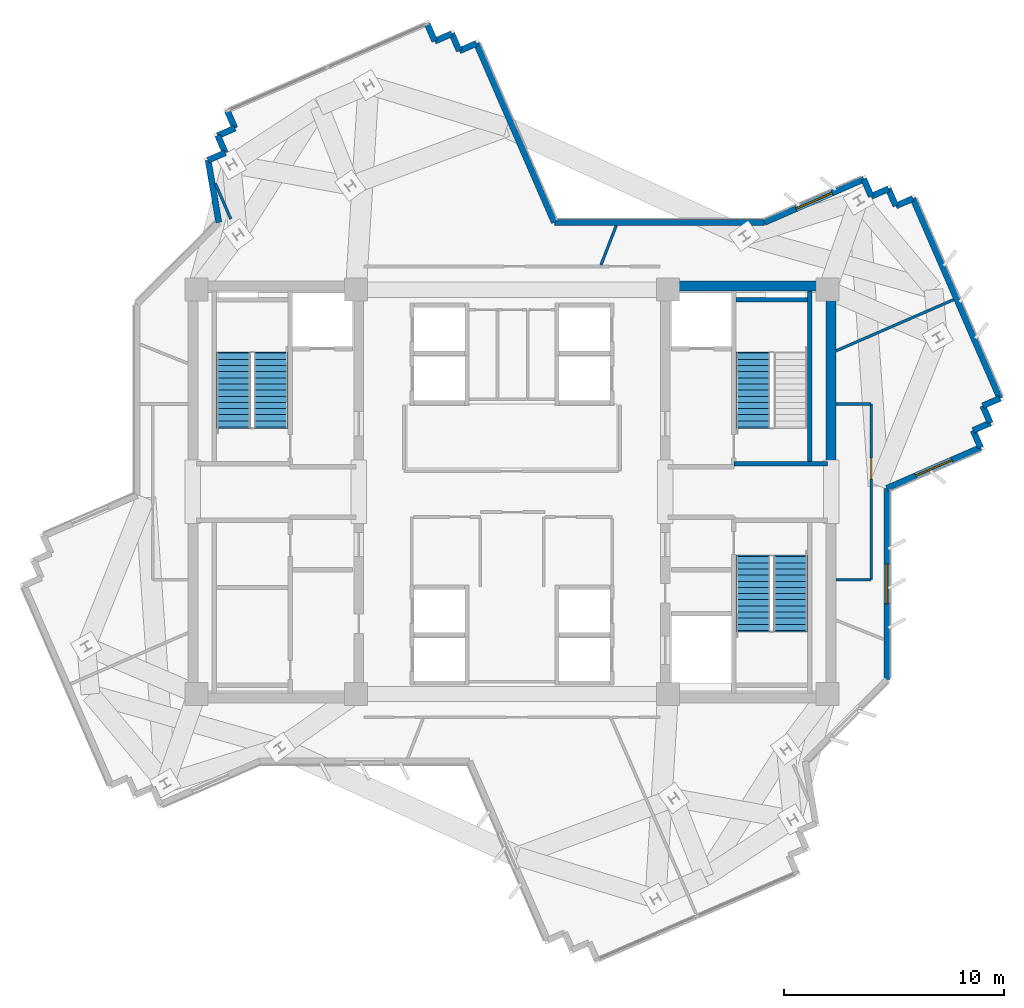
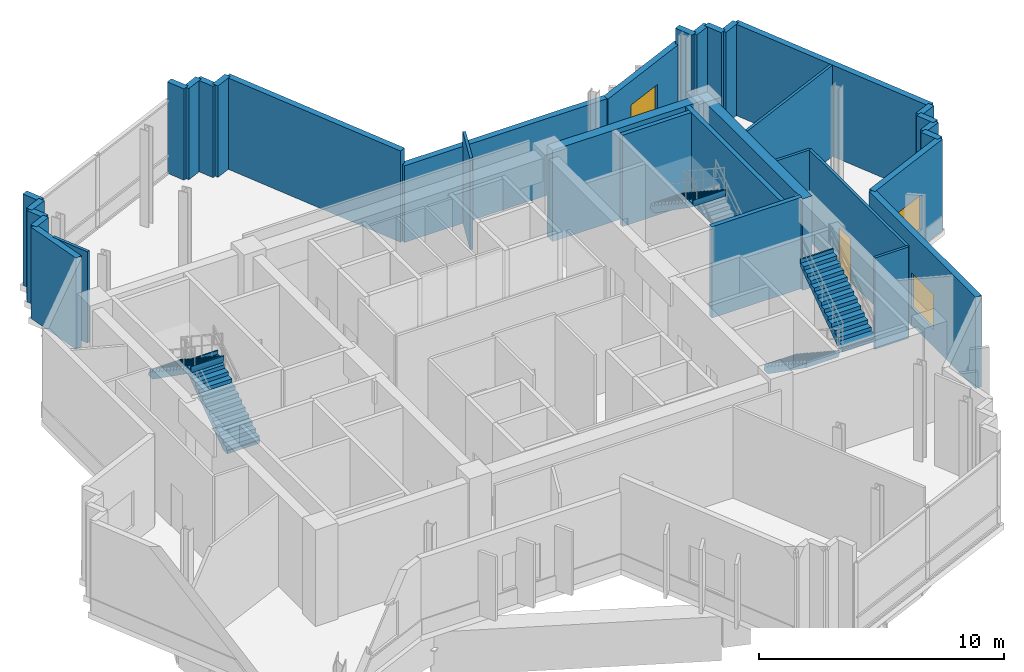
# One storey, part 8 of 11: 34 walls, 5 stair flights, 3 windows, 1 door, 4 openings, 3 elements without a shape of their own.
"""IFC4 building model written with IfcOpenShell, lengths in metres."""

import ifcopenshell
import ifcopenshell.guid

model = None  # the IFC model being written
_history = None  # IfcOwnerHistory: only IFC2X3 demands one
_inside = {}  # id of a spatial element -> (the spatial element, [elements in it])
_under = {}  # id of a project, library or spatial element -> (it, [spatial elements below it])
_declared = {}  # id of a project -> (the project, [libraries it declares])
_typed = {}  # id of a type object -> (the type object, [elements of that type])
_made_of = {}  # id of a material, layer set ... -> (it, [elements and type objects made of it])


def new_model(schema):
    """Start an empty IFC model of exactly this schema.

    Asked for "IFC4X3", IfcOpenShell would pick the latest addendum, in which some entities
    have other attributes; the version numbers below select the first issue.
    IFC2X3 requires an IfcOwnerHistory on every rooted entity: one is made here for all.
    """
    global model, _history
    if schema == "IFC4X3":
        model = ifcopenshell.file(schema_version=(4, 3, 0, 0))
    else:
        model = ifcopenshell.file(schema=schema)
    _inside.clear()
    _under.clear()
    _declared.clear()
    _typed.clear()
    _made_of.clear()
    _history = None
    if model.schema == "IFC2X3":
        org = make("IfcOrganization", Name="unknown")
        user = make(
            "IfcPersonAndOrganization",
            ThePerson=make("IfcPerson", FamilyName="unknown"),
            TheOrganization=org,
        )
        app = make(
            "IfcApplication",
            ApplicationDeveloper=org,
            Version="unknown",
            ApplicationFullName="unknown",
            ApplicationIdentifier="unknown",
        )
        _history = make(
            "IfcOwnerHistory",
            OwningUser=user,
            OwningApplication=app,
            ChangeAction="ADDED",
            CreationDate=0,
        )
    return model


def make(cls, **values):
    """One entity of the class cls with the attributes given. An attribute that is None is left unset."""
    return model.create_entity(
        cls, **{name: value for name, value in values.items() if value is not None}
    )


def rooted(cls, **values):
    """An entity with a GlobalId (a new one), such as an element, a storey or a relation."""
    return make(cls, GlobalId=ifcopenshell.guid.new(), OwnerHistory=_history, **values)


def si_unit(unit_type, name, prefix=None):
    """IfcSIUnit, for example si_unit("LENGTHUNIT", "METRE", prefix="MILLI")."""
    return make("IfcSIUnit", UnitType=unit_type, Prefix=prefix, Name=name)


def assignment(units):
    """IfcUnitAssignment: the units of a project."""
    return None if units is None else make("IfcUnitAssignment", Units=units)


def point(xyz):
    """IfcCartesianPoint."""
    return None if xyz is None else make("IfcCartesianPoint", Coordinates=xyz)


def direction(xyz):
    """IfcDirection."""
    return None if xyz is None else make("IfcDirection", DirectionRatios=xyz)


def frame(location, z_axis=None, x_axis=None):
    """IfcAxis2Placement3D, a coordinate frame: its origin and axes. An axis left out is left unset."""
    return make(
        "IfcAxis2Placement3D",
        Location=point(location),
        Axis=direction(z_axis),
        RefDirection=direction(x_axis),
    )


def frame_2d(location, x_axis=None):
    """IfcAxis2Placement2D, a coordinate frame in the plane: its origin and x axis."""
    return make(
        "IfcAxis2Placement2D", Location=point(location), RefDirection=direction(x_axis)
    )


def origin():
    """The frame at (0, 0, 0) with its axes left unset."""
    return frame((0.0, 0.0, 0.0))


def place(relative_to, where):
    """IfcLocalPlacement: puts the frame where relative to a parent placement (None: the world)."""
    return make(
        "IfcLocalPlacement", PlacementRelTo=relative_to, RelativePlacement=where
    )


def context(
    kind, dimensions, precision=None, world=None, true_north=None, identifier=None
):
    """IfcGeometricRepresentationContext, for example the 3D "Model" context."""
    return make(
        "IfcGeometricRepresentationContext",
        ContextIdentifier=identifier,
        ContextType=kind,
        CoordinateSpaceDimension=dimensions,
        Precision=precision,
        WorldCoordinateSystem=world,
        TrueNorth=true_north,
    )


def subcontext(parent, identifier, kind, view, scale=None):
    """IfcGeometricRepresentationSubContext, for example "Body" below "Model"."""
    return make(
        "IfcGeometricRepresentationSubContext",
        ContextIdentifier=identifier,
        ContextType=kind,
        ParentContext=parent,
        TargetScale=scale,
        TargetView=view,
    )


def project(units=None, contexts=None):
    """IfcProject with its units and contexts."""
    return rooted(
        "IfcProject",
        Name="project",
        RepresentationContexts=contexts,
        UnitsInContext=assignment(units),
    )


def spatial(cls, under=None, at=None, **own):
    """A site, building, storey or space (cls), placed at a placement, below another one or the project."""
    s = rooted(cls, ObjectPlacement=at, **own)
    if under is not None:
        _under.setdefault(under.id(), (under, []))[1].append(s)
    return s


def polyline(points):
    """IfcPolyline through the points."""
    return make("IfcPolyline", Points=[point(p) for p in points])


def profile(cls, at=None, kind="AREA", **sizes):
    """A parametric profile (cls). Its sizes go by their IFC names, for example OverallWidth=200.0."""
    return make(cls, ProfileType=kind, Position=at, **sizes)


def rectangle(**sizes):
    """IfcRectangleProfileDef."""
    return profile("IfcRectangleProfileDef", **sizes)


def outline(outer, holes=None, kind="AREA"):
    """IfcArbitraryClosedProfileDef: a profile drawn as a closed curve; with holes, ...WithVoids."""
    if holes is None:
        return make("IfcArbitraryClosedProfileDef", ProfileType=kind, OuterCurve=outer)
    return make(
        "IfcArbitraryProfileDefWithVoids",
        ProfileType=kind,
        OuterCurve=outer,
        InnerCurves=holes,
    )


def extrude(swept, where, along, depth):
    """IfcExtrudedAreaSolid: the profile swept, set in the frame where, extruded along a direction by depth."""
    return make(
        "IfcExtrudedAreaSolid",
        SweptArea=swept,
        Position=where,
        ExtrudedDirection=direction(along),
        Depth=depth,
    )


def shape(context_of_items, identifier, shape_type, items):
    """IfcShapeRepresentation: the items that make up one representation, for example the "Body"."""
    return make(
        "IfcShapeRepresentation",
        ContextOfItems=context_of_items,
        RepresentationIdentifier=identifier,
        RepresentationType=shape_type,
        Items=items,
    )


def source(mapping_origin, context_of_items, identifier, shape_type, items):
    """IfcRepresentationMap: a shape defined once, which mapped items show again and again."""
    return make(
        "IfcRepresentationMap",
        MappingOrigin=mapping_origin,
        MappedRepresentation=shape(context_of_items, identifier, shape_type, items),
    )


def transform(
    local_origin,
    x_axis=None,
    y_axis=None,
    z_axis=None,
    scale=None,
    scale2=None,
    scale3=None,
    uniform=True,
):
    """IfcCartesianTransformationOperator3D, or its non-uniform kind. x_axis, y_axis, z_axis: its Axis1, 2, 3."""
    if uniform:
        return make(
            "IfcCartesianTransformationOperator3D",
            Axis1=direction(x_axis),
            Axis2=direction(y_axis),
            LocalOrigin=point(local_origin),
            Scale=scale,
            Axis3=direction(z_axis),
        )
    return make(
        "IfcCartesianTransformationOperator3DnonUniform",
        Axis1=direction(x_axis),
        Axis2=direction(y_axis),
        LocalOrigin=point(local_origin),
        Scale=scale,
        Axis3=direction(z_axis),
        Scale2=scale2,
        Scale3=scale3,
    )


def mapped(mapping_source, mapping_target):
    """IfcMappedItem: shows the shape of a source again, moved by a transform."""
    return make(
        "IfcMappedItem", MappingSource=mapping_source, MappingTarget=mapping_target
    )


def material(Name=None, Category=None):
    """IfcMaterial."""
    return make("IfcMaterial", Name=Name, Category=Category)


def layer(
    of_material, thickness, ventilated=None, Name=None, Category=None, Priority=None
):
    """IfcMaterialLayer: one layer of a wall or slab, of a material (None: an air gap)."""
    return make(
        "IfcMaterialLayer",
        Material=of_material,
        LayerThickness=thickness,
        IsVentilated=ventilated,
        Name=Name,
        Category=Category,
        Priority=Priority,
    )


def layer_set(layers, Name=None):
    """IfcMaterialLayerSet."""
    return make("IfcMaterialLayerSet", MaterialLayers=layers, LayerSetName=Name)


def made_of(thing, what):
    """Note that an element or type object is made of a material, layer set ...; save() writes the relation."""
    if what is not None:
        _made_of.setdefault(what.id(), (what, []))[1].append(thing)
    return thing


def type_object(cls, material=None, **own):
    """A type object (cls), such as IfcWallType, which elements share."""
    return made_of(rooted(cls, **own), material)


def element(
    cls,
    number,
    at=None,
    inside=None,
    cuts=None,
    type_object=None,
    material=None,
    context=None,
    identifier="Body",
    shape_type=None,
    held_by="IfcProductDefinitionShape",
    body=None,
    shapes=None,
    **own,
):
    """One element of the class cls, such as IfcWall. Its Tag is "e" and its number.

    at: its placement. inside: the storey or other place that contains it. cuts: it is an
    opening in that element (IfcRelVoidsElement). A single representation is given by context,
    identifier, shape_type and body (its items); several are given by shapes. held_by: the class
    of the entity that holds the representations. save() writes the other relations.
    """
    e = rooted(cls, Tag="e%d" % number, ObjectPlacement=at, **own)
    if body is not None:
        shapes = [shape(context, identifier, shape_type, body)]
    if shapes is not None:
        e.Representation = make(held_by, Representations=shapes)
    if inside is not None:
        _inside.setdefault(inside.id(), (inside, []))[1].append(e)
    if cuts is not None:
        rooted(
            "IfcRelVoidsElement", RelatingBuildingElement=cuts, RelatedOpeningElement=e
        )
    if type_object is not None:
        _typed.setdefault(type_object.id(), (type_object, []))[1].append(e)
    return made_of(e, material)


def fill(opening, filler):
    """IfcRelFillsElement: the door or window that sits in an opening."""
    return rooted(
        "IfcRelFillsElement",
        RelatingOpeningElement=opening,
        RelatedBuildingElement=filler,
    )


def aggregate(whole, parts):
    """IfcRelAggregates: a whole, such as a stair, and the parts it consists of."""
    return rooted("IfcRelAggregates", RelatingObject=whole, RelatedObjects=parts)


def save(model, path):
    """Write the relations noted so far, then the file.

    IfcRelAggregates (storeys below a building ...), IfcRelContainedInSpatialStructure (elements
    in a storey), IfcRelDefinesByType, IfcRelAssociatesMaterial and IfcRelDeclares: one each for
    every whole, place, type object, material and project.
    """
    for whole, parts in _under.values():
        aggregate(whole, parts)
    for where, things in _inside.values():
        rooted(
            "IfcRelContainedInSpatialStructure",
            RelatedElements=things,
            RelatingStructure=where,
        )
    for kind, things in _typed.values():
        rooted("IfcRelDefinesByType", RelatedObjects=things, RelatingType=kind)
    for what, things in _made_of.values():
        rooted("IfcRelAssociatesMaterial", RelatedObjects=things, RelatingMaterial=what)
    for by, libraries in _declared.values():
        rooted("IfcRelDeclares", RelatingContext=by, RelatedDefinitions=libraries)
    model.write(path)


model = new_model("IFC4")

# Units and contexts
model_context = context("Model", 3, precision=1e-05, world=origin(), true_north=direction((0.0, 1.0)))
body_context = subcontext(model_context, "Body", "Model", "MODEL_VIEW")
ifc_project = project(units=[si_unit("LENGTHUNIT", "METRE"), si_unit("AREAUNIT", "SQUARE_METRE"), si_unit("VOLUMEUNIT", "CUBIC_METRE"), si_unit("PLANEANGLEUNIT", "RADIAN"), si_unit("MASSUNIT", "GRAM", prefix="KILO")], contexts=[model_context])

# Site, building, storey
site_placement = place(None, origin())
site = spatial("IfcSite", under=ifc_project, at=site_placement, CompositionType="ELEMENT")
building_placement = place(site_placement, origin())
building = spatial("IfcBuilding", under=site, at=building_placement, Name="Zahravan Cultural Tower", CompositionType="ELEMENT")
storey_placement = place(building_placement, frame((0.0, 0.0, 234.300048828125)))
storey = spatial("IfcBuildingStorey", under=building, at=storey_placement, Name="L55", CompositionType="ELEMENT", Elevation=234.300048828125)

# Wall, opening, window
ifc_material_1 = material(Name="Precast concrete C40/50", Category="concrete")
ifc_layer_1 = layer(ifc_material_1, 0.280029296875)
ifc_layer_set_1 = layer_set([ifc_layer_1], Name="Precast concrete C40/50")
wall_type_1 = type_object("IfcWallType", Name="EW-TC-280", PredefinedType="SOLIDWALL", material=ifc_layer_set_1)
wall_1_placement = place(storey_placement, frame((47.482421875, 39.260009765625, 0.0), z_axis=(0.0, 0.0, 1.0), x_axis=(0.916937202251, 0.399031536509, 0.0)))
wall_1 = element("IfcWall", 1, at=wall_1_placement, inside=storey, type_object=wall_type_1, Name="L55 Exterior Masonry Frame Wall 01", PredefinedType="SOLIDWALL", context=body_context, shape_type="SweptSolid", body=[
    extrude(rectangle(XDim=4.939208984375, YDim=0.280029296875, at=frame_2d((2.4697265625, 0.0))), origin(), (0.0, 0.0, 1.0), 3.780029296875),
])
opening_1_placement = place(wall_1_placement, frame((1.570068359375, 0.0, 0.85009765625)))
opening_1 = element("IfcOpeningElement", 2, at=opening_1_placement, cuts=wall_1, Name="Opening WN-02", PredefinedType="OPENING", context=body_context, shape_type="SweptSolid", body=[
    extrude(rectangle(XDim=1.800048828125, YDim=1.75, at=frame_2d((0.89990234375, 0.875))), frame((0.0, 0.14990234375, 0.0), z_axis=(0.0, -1.0, 0.0), x_axis=(1.0, 0.0, 0.0)), (0.0, 0.0, 1.0), 0.300048828125),
])
ifc_material_2 = material(Name="Low-E solar-control double glazing", Category="glass")
window_type = type_object("IfcWindowType", Name="WN-REC-1800X1750", PartitioningType="DOUBLE_PANEL_VERTICAL", PredefinedType="WINDOW", material=ifc_material_2)
shared_shape_1 = source(origin(), body_context, "Body", "SweptSolid", [
    extrude(rectangle(XDim=1.800048828125, YDim=1.75, at=frame_2d((0.89990234375, 0.875))), frame((0.0, 0.030029296875, 0.0), z_axis=(0.0, -1.0, 0.0), x_axis=(1.0, 0.0, 0.0)), (0.0, 0.0, 1.0), 0.06005859375),
])
window_1_placement = place(opening_1_placement, origin())
window_1 = element("IfcWindow", 3, at=window_1_placement, inside=storey, type_object=window_type, Name="L55 Recessed Solar Window 01", OverallHeight=1.75, OverallWidth=1.800048828125, PartitioningType="DOUBLE_PANEL_VERTICAL", PredefinedType="WINDOW", context=body_context, shape_type="MappedRepresentation", body=[
    mapped(shared_shape_1, transform((0.0, 0.0, 0.0), x_axis=(1.0, 0.0, 0.0), y_axis=(0.0, 1.0, 0.0), z_axis=(0.0, 0.0, 1.0), scale=1.0)),
])
fill(opening_1, window_1)

wall_2_placement = place(storey_placement, frame((57.326416015625, 29.01708984375, 0.0), z_axis=(0.0, 0.0, 1.0), x_axis=(-0.916951557096, -0.398998548793, 0.0)))
wall_2 = element("IfcWall", 4, at=wall_2_placement, inside=storey, type_object=wall_type_1, Name="L55 Exterior Masonry Frame Wall 11", PredefinedType="SOLIDWALL", context=body_context, shape_type="SweptSolid", body=[
    extrude(rectangle(XDim=4.65283203125, YDim=0.280029296875, at=frame_2d((2.326416015625, 0.0))), origin(), (0.0, 0.0, 1.0), 4.550048828125),
])
opening_2_placement = place(wall_2_placement, frame((1.426025390625, 0.0, 0.85009765625)))
opening_2 = element("IfcOpeningElement", 5, at=opening_2_placement, cuts=wall_2, Name="Opening WN-02", PredefinedType="OPENING", context=body_context, shape_type="SweptSolid", body=[
    extrude(rectangle(XDim=1.800048828125, YDim=1.75, at=frame_2d((0.89990234375, 0.875))), frame((0.0, 0.14990234375, 0.0), z_axis=(0.0, -1.0, 0.0), x_axis=(1.0, 0.0, 0.0)), (0.0, 0.0, 1.0), 0.300048828125),
])
window_2_placement = place(opening_2_placement, origin())
window_2 = element("IfcWindow", 6, at=window_2_placement, inside=storey, type_object=window_type, Name="L55 Recessed Solar Window 02", OverallHeight=1.75, OverallWidth=1.800048828125, PartitioningType="DOUBLE_PANEL_VERTICAL", PredefinedType="WINDOW", context=body_context, shape_type="MappedRepresentation", body=[
    mapped(shared_shape_1, transform((0.0, 0.0, 0.0), x_axis=(1.0, 0.0, 0.0), y_axis=(0.0, 1.0, 0.0), z_axis=(0.0, 0.0, 1.0), scale=1.0)),
])
fill(opening_2, window_2)

wall_3_placement = place(storey_placement, frame((53.06005859375, 27.16064453125, 0.0), z_axis=(0.0, 0.0, 1.0), x_axis=(0.0, -1.0, 0.0)))
wall_3 = element("IfcWall", 7, at=wall_3_placement, inside=storey, type_object=wall_type_1, Name="L55 Exterior Masonry Frame Wall 12", PredefinedType="SOLIDWALL", context=body_context, shape_type="SweptSolid", body=[
    extrude(rectangle(XDim=8.70263671875, YDim=0.280029296875, at=frame_2d((4.351318359375, 0.0))), origin(), (0.0, 0.0, 1.0), 4.550048828125),
])
opening_3_placement = place(wall_3_placement, frame((3.450927734375, 0.0, 0.85009765625)))
opening_3 = element("IfcOpeningElement", 8, at=opening_3_placement, cuts=wall_3, Name="Opening WN-02", PredefinedType="OPENING", context=body_context, shape_type="SweptSolid", body=[
    extrude(rectangle(XDim=1.800048828125, YDim=1.75, at=frame_2d((0.89990234375, 0.875))), frame((0.0, 0.14990234375, 0.0), z_axis=(0.0, -1.0, 0.0), x_axis=(1.0, 0.0, 0.0)), (0.0, 0.0, 1.0), 0.300048828125),
])
window_3_placement = place(opening_3_placement, origin())
window_3 = element("IfcWindow", 9, at=window_3_placement, inside=storey, type_object=window_type, Name="L55 Recessed Solar Window 03", OverallHeight=1.75, OverallWidth=1.800048828125, PartitioningType="DOUBLE_PANEL_VERTICAL", PredefinedType="WINDOW", context=body_context, shape_type="MappedRepresentation", body=[
    mapped(shared_shape_1, transform((0.0, 0.0, 0.0), x_axis=(1.0, 0.0, 0.0), y_axis=(0.0, 1.0, 0.0), z_axis=(0.0, 0.0, 1.0), scale=1.0)),
])
fill(opening_3, window_3)

# Wall, opening, door
ifc_material_3 = material(Name="Gypsum plasterboard partition")
ifc_layer_2 = layer(ifc_material_3, 0.125)
ifc_layer_set_2 = layer_set([ifc_layer_2], Name="Gypsum plasterboard partition")
wall_type_2 = type_object("IfcWallType", Name="W-PART-125", PredefinedType="PARTITIONING", material=ifc_layer_set_2)
wall_4_placement = place(storey_placement, frame((52.35009765625, 23.005859375, 0.0), z_axis=(0.0, 0.0, 1.0), x_axis=(-0.000152793055, 0.999999988327, 0.0)))
wall_4 = element("IfcWall", 10, at=wall_4_placement, inside=storey, type_object=wall_type_2, Name="L55 Interior Wall 075", PredefinedType="PARTITIONING", context=body_context, shape_type="SweptSolid", body=[
    extrude(rectangle(XDim=7.9892578125, YDim=0.125, at=frame_2d((3.99462890625, 0.0))), origin(), (0.0, 0.0, 1.0), 4.550048828125),
])
opening_4_placement = place(wall_4_placement, frame((4.575439453125, 0.0, 0.0)))
opening_4 = element("IfcOpeningElement", 11, at=opening_4_placement, cuts=wall_4, Name="Opening D-L55-19", PredefinedType="OPENING", context=body_context, shape_type="SweptSolid", body=[
    extrude(rectangle(XDim=0.949951171875, YDim=2.14990234375, at=frame_2d((0.47509765625, 1.074951171875))), frame((0.0, 0.072509765625, 0.0), z_axis=(0.0, -1.0, 0.0), x_axis=(1.0, 0.0, 0.0)), (0.0, 0.0, 1.0), 0.14501953125),
])
ifc_material_4 = material(Name="Anodised bronze-aluminium mullion", Category="aluminium")
door_type = type_object("IfcDoorType", Name="DR-ROOM-950", OperationType="NOTDEFINED", PredefinedType="DOOR", material=ifc_material_4)
shared_shape_2 = source(origin(), body_context, "Body", "SweptSolid", [
    extrude(rectangle(XDim=0.949951171875, YDim=2.14990234375, at=frame_2d((0.47509765625, 1.074951171875))), frame((0.0, 0.02490234375, 0.0), z_axis=(0.0, -1.0, 0.0), x_axis=(1.0, 0.0, 0.0)), (0.0, 0.0, 1.0), 0.050048828125),
])
door_placement = place(opening_4_placement, origin())
door = element("IfcDoor", 12, at=door_placement, inside=storey, type_object=door_type, Name="L55 Door D-L55-19", OperationType="SINGLE_SWING_LEFT", OverallHeight=2.14990234375, OverallWidth=0.949951171875, PredefinedType="DOOR", context=body_context, shape_type="MappedRepresentation", body=[
    mapped(shared_shape_2, transform((0.0, 0.0, 0.0), x_axis=(1.0, 0.0, 0.0), y_axis=(0.0, 1.0, 0.0), z_axis=(0.0, 0.0, 1.0), scale=1.0)),
])
fill(opening_4, door)

# Walls
ifc_material_5 = material(Name="Concrete C50/60", Category="concrete")
ifc_layer_3 = layer(ifc_material_5, 0.449951171875)
ifc_layer_set_3 = layer_set([ifc_layer_3], Name="Concrete C50/60")
wall_type_3 = type_object("IfcWallType", Name="CW-SHEAR-450-C50", PredefinedType="SHEAR", material=ifc_layer_set_3)
shared_shape_3 = source(origin(), body_context, "Body", "SweptSolid", [
    extrude(rectangle(XDim=8.550048828125, YDim=0.449951171875, at=frame_2d((4.27490234375, 0.0))), origin(), (0.0, 0.0, 1.0), 4.550048828125),
])
wall_5_placement = place(storey_placement, frame((50.52490234375, 28.050048828125, 0.0), z_axis=(0.0, 0.0, 1.0), x_axis=(0.0, 1.0, 0.0)))
element("IfcWall", 13, at=wall_5_placement, inside=storey, type_object=wall_type_3, Name="L55 Core Shear Wall CW-E-EN-L55", PredefinedType="SHEAR", context=body_context, shape_type="MappedRepresentation", body=[
    mapped(shared_shape_3, transform((0.0, 0.0, 0.0), x_axis=(1.0, 0.0, 0.0), y_axis=(0.0, 1.0, 0.0), z_axis=(0.0, 0.0, 1.0), scale=1.0)),
])
shared_shape_4 = source(origin(), body_context, "Body", "SweptSolid", [
    extrude(rectangle(XDim=7.10009765625, YDim=0.449951171875, at=frame_2d((3.550048828125, 0.0))), origin(), (0.0, 0.0, 1.0), 4.550048828125),
])
wall_6_placement = place(storey_placement, frame((43.199951171875, 36.375, 0.0), z_axis=(0.0, 0.0, 1.0), x_axis=(1.0, 0.0, 0.0)))
element("IfcWall", 14, at=wall_6_placement, inside=storey, type_object=wall_type_3, Name="L55 Core Shear Wall CW-E-N-L55", PredefinedType="SHEAR", context=body_context, shape_type="MappedRepresentation", body=[
    mapped(shared_shape_4, transform((0.0, 0.0, 0.0), x_axis=(1.0, 0.0, 0.0), y_axis=(0.0, 1.0, 0.0), z_axis=(0.0, 0.0, 1.0), scale=1.0)),
])
shared_shape_5 = source(origin(), body_context, "Body", "SweptSolid", [
    extrude(rectangle(XDim=0.85009765625, YDim=0.280029296875, at=frame_2d((0.425048828125, 0.0))), origin(), (0.0, 0.0, 1.0), 4.550048828125),
])
for number, where, z_axis, x_axis, name in (
    (15, (52.011474609375, 41.23095703125, 0.0), (0.0, 0.0, 1.0), (0.398904626351, -0.916992420403, 0.0), "L55 Exterior Masonry Frame Wall 02"),
    (16, (52.3505859375, 40.451416015625, 0.0), (0.0, 0.0, 1.0), (0.916992420403, 0.398904626351, 0.0), "L55 Exterior Masonry Frame Wall 03"),
    (17, (53.46923828125, 40.01123046875, 0.0), (0.0, 0.0, 1.0), (0.916992420403, 0.398904626351, 0.0), "L55 Exterior Masonry Frame Wall 05"),
    (18, (57.7666015625, 30.1357421875, 0.0), (0.0, 0.0, 1.0), (-0.916841582309, -0.399251190291, 0.0), "L55 Exterior Masonry Frame Wall 09"),
    (19, (22.168212890625, 42.094482421875, 0.0), (0.0, 0.0, 1.0), (0.916841582309, 0.399251190291, 0.0), "L55 Exterior Masonry Frame Wall 39"),
    (20, (23.3876953125, 43.55224609375, 0.0), (0.0, 0.0, 1.0), (-0.398904626351, 0.916992420403, 0.0), "L55 Exterior Masonry Frame Wall 42"),
    (21, (32.144775390625, 48.2900390625, 0.0), (0.0, 0.0, 1.0), (0.398904626351, -0.916992420403, 0.0), "L55 Exterior Masonry Frame Wall 43"),
    (22, (32.48388671875, 47.510498046875, 0.0), (0.0, 0.0, 1.0), (0.916841582309, 0.399251190291, 0.0), "L55 Exterior Masonry Frame Wall 44"),
    (23, (33.26318359375, 47.849853515625, 0.0), (0.0, 0.0, 1.0), (0.399146074388, -0.916887349297, 0.0), "L55 Exterior Masonry Frame Wall 45"),
):
    element("IfcWall", number, at=place(storey_placement, frame(where, z_axis=z_axis, x_axis=x_axis)), inside=storey, type_object=wall_type_1, Name=name, PredefinedType="SOLIDWALL", context=body_context, shape_type="MappedRepresentation", body=[
        mapped(shared_shape_5, transform((0.0, 0.0, 0.0), x_axis=(1.0, 0.0, 0.0), y_axis=(0.0, 1.0, 0.0), z_axis=(0.0, 0.0, 1.0), scale=1.0)),
    ])
shared_shape_6 = source(origin(), body_context, "Body", "SweptSolid", [
    extrude(rectangle(XDim=0.849853515625, YDim=0.280029296875, at=frame_2d((0.4248046875, 0.0))), origin(), (0.0, 0.0, 1.0), 4.550048828125),
])
for number, where, z_axis, x_axis, name in (
    (24, (53.130126953125, 40.79052734375, 0.0), (0.0, 0.0, 1.0), (0.399009702756, -0.916946703526, 0.0), "L55 Exterior Masonry Frame Wall 04"),
    (25, (58.206787109375, 31.254150390625, 0.0), (0.0, 0.0, 1.0), (-0.916946703526, -0.399009702756, 0.0), "L55 Exterior Masonry Frame Wall 07"),
    (26, (57.427490234375, 30.9150390625, 0.0), (0.0, 0.0, 1.0), (0.399009702756, -0.916946703526, 0.0), "L55 Exterior Masonry Frame Wall 08"),
    (27, (56.9873046875, 29.79638671875, 0.0), (0.0, 0.0, 1.0), (0.399009702756, -0.916946703526, 0.0), "L55 Exterior Masonry Frame Wall 10"),
    (28, (22.947509765625, 42.433837890625, 0.0), (0.0, 0.0, 1.0), (-0.399009702756, 0.916946703526, 0.0), "L55 Exterior Masonry Frame Wall 40"),
    (29, (22.6083984375, 43.213134765625, 0.0), (0.0, 0.0, 1.0), (0.916946703526, 0.399009702756, 0.0), "L55 Exterior Masonry Frame Wall 41"),
    (30, (33.6025390625, 47.0703125, 0.0), (0.0, 0.0, 1.0), (0.916946703526, 0.399009702756, 0.0), "L55 Exterior Masonry Frame Wall 46"),
):
    element("IfcWall", number, at=place(storey_placement, frame(where, z_axis=z_axis, x_axis=x_axis)), inside=storey, type_object=wall_type_1, Name=name, PredefinedType="SOLIDWALL", context=body_context, shape_type="MappedRepresentation", body=[
        mapped(shared_shape_6, transform((0.0, 0.0, 0.0), x_axis=(1.0, 0.0, 0.0), y_axis=(0.0, 1.0, 0.0), z_axis=(0.0, 0.0, 1.0), scale=1.0)),
    ])
shared_shape_7 = source(origin(), body_context, "Body", "SweptSolid", [
    extrude(rectangle(XDim=9.919921875, YDim=0.280029296875, at=frame_2d((4.9599609375, 0.0))), origin(), (0.0, 0.0, 1.0), 4.550048828125),
])
wall_7_placement = place(storey_placement, frame((54.248779296875, 40.350341796875, 0.0), z_axis=(0.0, 0.0, 1.0), x_axis=(0.398992471769, -0.916954201404, 0.0)))
element("IfcWall", 31, at=wall_7_placement, inside=storey, type_object=wall_type_1, Name="L55 Exterior Masonry Frame Wall 06", PredefinedType="SOLIDWALL", context=body_context, shape_type="MappedRepresentation", body=[
    mapped(shared_shape_7, transform((0.0, 0.0, 0.0), x_axis=(1.0, 0.0, 0.0), y_axis=(0.0, 1.0, 0.0), z_axis=(0.0, 0.0, 1.0), scale=1.0)),
])
shared_shape_8 = source(origin(), body_context, "Body", "SweptSolid", [
    extrude(rectangle(XDim=2.87646484375, YDim=0.280029296875, at=frame_2d((1.438232421875, 0.0))), origin(), (0.0, 0.0, 1.0), 4.550048828125),
])
wall_8_placement = place(storey_placement, frame((22.657958984375, 39.260009765625, 0.0), z_axis=(0.0, 0.0, 1.0), x_axis=(-0.170259342901, 0.985399287677, 0.0)))
element("IfcWall", 32, at=wall_8_placement, inside=storey, type_object=wall_type_1, Name="L55 Exterior Masonry Frame Wall 38", PredefinedType="SOLIDWALL", context=body_context, shape_type="MappedRepresentation", body=[
    mapped(shared_shape_8, transform((0.0, 0.0, 0.0), x_axis=(1.0, 0.0, 0.0), y_axis=(0.0, 1.0, 0.0), z_axis=(0.0, 0.0, 1.0), scale=1.0)),
])
shared_shape_9 = source(origin(), body_context, "Body", "SweptSolid", [
    extrude(rectangle(XDim=8.8876953125, YDim=0.280029296875, at=frame_2d((4.44384765625, 0.0))), origin(), (0.0, 0.0, 1.0), 4.550048828125),
])
wall_9_placement = place(storey_placement, frame((34.3818359375, 47.409423828125, 0.0), z_axis=(0.0, 0.0, 1.0), x_axis=(0.399025418612, -0.916939864605, 0.0)))
element("IfcWall", 33, at=wall_9_placement, inside=storey, type_object=wall_type_1, Name="L55 Exterior Masonry Frame Wall 47", PredefinedType="SOLIDWALL", context=body_context, shape_type="MappedRepresentation", body=[
    mapped(shared_shape_9, transform((0.0, 0.0, 0.0), x_axis=(1.0, 0.0, 0.0), y_axis=(0.0, 1.0, 0.0), z_axis=(0.0, 0.0, 1.0), scale=1.0)),
])
shared_shape_10 = source(origin(), body_context, "Body", "SweptSolid", [
    extrude(rectangle(XDim=9.55419921875, YDim=0.280029296875, at=frame_2d((4.777099609375, 0.0))), origin(), (0.0, 0.0, 1.0), 3.822021484375),
])
wall_10_placement = place(storey_placement, frame((37.92822265625, 39.260009765625, 0.0), z_axis=(0.0, 0.0, 1.0), x_axis=(1.0, 0.0, 0.0)))
element("IfcWall", 34, at=wall_10_placement, inside=storey, type_object=wall_type_1, Name="L55 Exterior Masonry Frame Wall 48", PredefinedType="SOLIDWALL", context=body_context, shape_type="MappedRepresentation", body=[
    mapped(shared_shape_10, transform((0.0, 0.0, 0.0), x_axis=(1.0, 0.0, 0.0), y_axis=(0.0, 1.0, 0.0), z_axis=(0.0, 0.0, 1.0), scale=1.0)),
])
ifc_material_6 = material(Name="Concrete C45/55", Category="concrete")
ifc_layer_4 = layer(ifc_material_6, 0.199951171875)
ifc_layer_set_4 = layer_set([ifc_layer_4], Name="Concrete C45/55")
wall_type_4 = type_object("IfcWallType", Name="W-SHAFT-200", PredefinedType="SOLIDWALL", material=ifc_layer_set_4)
shared_shape_11 = source(origin(), body_context, "Body", "SweptSolid", [
    extrude(rectangle(XDim=7.869873046875, YDim=0.199951171875, at=frame_2d((3.93505859375, 0.0))), origin(), (0.0, 0.0, 1.0), 4.550048828125),
])
wall_11_placement = place(storey_placement, frame((49.550048828125, 28.280029296875, 0.0), z_axis=(0.0, 0.0, 1.0), x_axis=(0.0, 1.0, 0.0)))
element("IfcWall", 35, at=wall_11_placement, inside=storey, type_object=wall_type_4, Name="L55 Interior Wall 004", PredefinedType="SOLIDWALL", context=body_context, shape_type="MappedRepresentation", body=[
    mapped(shared_shape_11, transform((0.0, 0.0, 0.0), x_axis=(1.0, 0.0, 0.0), y_axis=(0.0, 1.0, 0.0), z_axis=(0.0, 0.0, 1.0), scale=1.0)),
])
shared_shape_12 = source(origin(), body_context, "Body", "SweptSolid", [
    extrude(rectangle(XDim=4.25, YDim=0.199951171875, at=frame_2d((2.125, 0.0))), origin(), (0.0, 0.0, 1.0), 4.550048828125),
])
wall_12_placement = place(storey_placement, frame((46.10009765625, 28.284912109375, 0.0), z_axis=(0.0, 0.0, 1.0), x_axis=(1.0, 0.0, 0.0)))
element("IfcWall", 36, at=wall_12_placement, inside=storey, type_object=wall_type_4, Name="L55 Interior Wall 016", PredefinedType="SOLIDWALL", context=body_context, shape_type="MappedRepresentation", body=[
    mapped(shared_shape_12, transform((0.0, 0.0, 0.0), x_axis=(1.0, 0.0, 0.0), y_axis=(0.0, 1.0, 0.0), z_axis=(0.0, 0.0, 1.0), scale=1.0)),
])
shared_shape_13 = source(origin(), body_context, "Body", "SweptSolid", [
    extrude(rectangle(XDim=3.25, YDim=0.199951171875, at=frame_2d((1.625, 0.0))), origin(), (0.0, 0.0, 1.0), 4.550048828125),
])
wall_13_placement = place(storey_placement, frame((46.199951171875, 35.75, 0.0), z_axis=(0.0, 0.0, 1.0), x_axis=(1.0, 0.0, 0.0)))
element("IfcWall", 37, at=wall_13_placement, inside=storey, type_object=wall_type_4, Name="L55 Interior Wall 018", PredefinedType="SOLIDWALL", context=body_context, shape_type="MappedRepresentation", body=[
    mapped(shared_shape_13, transform((0.0, 0.0, 0.0), x_axis=(1.0, 0.0, 0.0), y_axis=(0.0, 1.0, 0.0), z_axis=(0.0, 0.0, 1.0), scale=1.0)),
])
shared_shape_14 = source(origin(), body_context, "Body", "SweptSolid", [
    extrude(rectangle(XDim=1.589111328125, YDim=0.125, at=frame_2d((0.79443359375, 0.0))), origin(), (0.0, 0.0, 1.0), 4.550048828125),
])
wall_14_placement = place(storey_placement, frame((50.7548828125, 23.0, 0.0), z_axis=(0.0, 0.0, 1.0), x_axis=(1.0, 0.0, 0.0)))
element("IfcWall", 38, at=wall_14_placement, inside=storey, type_object=wall_type_2, Name="L55 Interior Wall 074", PredefinedType="PARTITIONING", context=body_context, shape_type="MappedRepresentation", body=[
    mapped(shared_shape_14, transform((0.0, 0.0, 0.0), x_axis=(1.0, 0.0, 0.0), y_axis=(0.0, 1.0, 0.0), z_axis=(0.0, 0.0, 1.0), scale=1.0)),
])
shared_shape_15 = source(origin(), body_context, "Body", "SweptSolid", [
    extrude(rectangle(XDim=1.58056640625, YDim=0.125, at=frame_2d((0.790283203125, 0.0))), origin(), (0.0, 0.0, 1.0), 4.550048828125),
])
wall_15_placement = place(storey_placement, frame((52.33544921875, 30.9951171875, 0.0), z_axis=(0.0, 0.0, 1.0), x_axis=(-0.999995693455, 0.002934803549, 0.0)))
element("IfcWall", 39, at=wall_15_placement, inside=storey, type_object=wall_type_2, Name="L55 Interior Wall 076", PredefinedType="PARTITIONING", context=body_context, shape_type="MappedRepresentation", body=[
    mapped(shared_shape_15, transform((0.0, 0.0, 0.0), x_axis=(1.0, 0.0, 0.0), y_axis=(0.0, 1.0, 0.0), z_axis=(0.0, 0.0, 1.0), scale=1.0)),
])
shared_shape_16 = source(origin(), body_context, "Body", "SweptSolid", [
    extrude(rectangle(XDim=5.823486328125, YDim=0.125, at=frame_2d((2.91162109375, 0.0))), origin(), (0.0, 0.0, 1.0), 4.550048828125),
])
wall_16_placement = place(storey_placement, frame((50.7548828125, 33.4208984375, 0.0), z_axis=(0.0, 0.0, 1.0), x_axis=(0.916956044868, 0.398988235141, 0.0)))
element("IfcWall", 40, at=wall_16_placement, inside=storey, type_object=wall_type_2, Name="L55 Interior Wall 077", PredefinedType="PARTITIONING", context=body_context, shape_type="MappedRepresentation", body=[
    mapped(shared_shape_16, transform((0.0, 0.0, 0.0), x_axis=(1.0, 0.0, 0.0), y_axis=(0.0, 1.0, 0.0), z_axis=(0.0, 0.0, 1.0), scale=1.0)),
])
shared_shape_17 = source(origin(), body_context, "Body", "SweptSolid", [
    extrude(rectangle(XDim=1.91748046875, YDim=0.125, at=frame_2d((0.958740234375, 0.0))), origin(), (0.0, 0.0, 1.0), 4.550048828125),
])
wall_17_placement = place(storey_placement, frame((40.0498046875, 37.327392578125, 0.0), z_axis=(0.0, 0.0, 1.0), x_axis=(0.361844059872, 0.932238637011, 0.0)))
element("IfcWall", 41, at=wall_17_placement, inside=storey, type_object=wall_type_2, Name="L55 Interior Wall 085", PredefinedType="PARTITIONING", context=body_context, shape_type="MappedRepresentation", body=[
    mapped(shared_shape_17, transform((0.0, 0.0, 0.0), x_axis=(1.0, 0.0, 0.0), y_axis=(0.0, 1.0, 0.0), z_axis=(0.0, 0.0, 1.0), scale=1.0)),
])
shared_shape_18 = source(origin(), body_context, "Body", "SweptSolid", [
    extrude(rectangle(XDim=1.7734375, YDim=0.125, at=frame_2d((0.88671875, 0.0))), origin(), (0.0, 0.0, 1.0), 4.550048828125),
])
wall_18_placement = place(storey_placement, frame((23.2041015625, 39.41357421875, 0.0), z_axis=(0.0, 0.0, 1.0), x_axis=(-0.399113704868, 0.916901439952, 0.0)))
element("IfcWall", 42, at=wall_18_placement, inside=storey, type_object=wall_type_2, Name="L55 Interior Wall 092", PredefinedType="PARTITIONING", context=body_context, shape_type="MappedRepresentation", body=[
    mapped(shared_shape_18, transform((0.0, 0.0, 0.0), x_axis=(1.0, 0.0, 0.0), y_axis=(0.0, 1.0, 0.0), z_axis=(0.0, 0.0, 1.0), scale=1.0)),
])

# Stair, stair flights
stair_type = type_object("IfcStairType", Name="STR-DL-1550-480", PredefinedType="HALF_TURN_STAIR", material=ifc_material_6)
stair_1_placement = place(storey_placement, origin())
stair_1 = element("IfcStair", 43, at=stair_1_placement, inside=storey, type_object=stair_type, Name="L55 West Core North Exit Stair ST-W1", PredefinedType="HALF_TURN_STAIR")
stair_flight_type = type_object("IfcStairFlightType", Name="FLG-DL-1550-480", PredefinedType="STRAIGHT", material=ifc_material_6)
stair_flight_1_placement = place(storey_placement, frame((25.02490234375, 29.949951171875, 0.0), z_axis=(0.0, 0.0, 1.0), x_axis=(0.0, 1.0, 0.0)))
stair_flight_1 = element("IfcStairFlight", 44, at=stair_flight_1_placement, type_object=stair_flight_type, Name="ST-W1 flight 1", NumberOfRisers=13, NumberOfTreads=12, PredefinedType="STRAIGHT", RiserHeight=0.184615385, TreadLength=0.28, context=body_context, shape_type="SweptSolid", body=[
    extrude(outline(polyline([(-0.06494140625, -0.139892578125), (-0.06494140625, 0.0), (0.0, 0.0), (0.0, 0.1845703125), (0.280029296875, 0.1845703125), (0.280029296875, 0.369140625), (0.56005859375, 0.369140625), (0.56005859375, 0.553955078125), (0.840087890625, 0.553955078125), (0.840087890625, 0.738525390625), (1.1201171875, 0.738525390625), (1.1201171875, 0.923095703125), (1.39990234375, 0.923095703125), (1.39990234375, 1.107666015625), (1.679931640625, 1.107666015625), (1.679931640625, 1.292236328125), (1.9599609375, 1.292236328125), (1.9599609375, 1.476806640625), (2.239990234375, 1.476806640625), (2.239990234375, 1.66162109375), (2.52001953125, 1.66162109375), (2.52001953125, 1.84619140625), (2.800048828125, 1.84619140625), (2.800048828125, 2.03076171875), (3.080078125, 2.03076171875), (3.080078125, 2.21533203125), (3.360107421875, 2.21533203125), (3.360107421875, 2.39990234375), (3.425048828125, 2.39990234375), (3.425048828125, 2.25), (3.360107421875, 2.035888671875), (0.272216796875, -0.139892578125), (-0.06494140625, -0.139892578125)])), frame((0.0, 0.77490234375, 0.0), z_axis=(0.0, -1.0, 0.0), x_axis=(1.0, 0.0, 0.0)), (0.0, 0.0, 1.0), 1.550048828125),
])
stair_flight_2_placement = place(storey_placement, frame((23.324951171875, 33.31005859375, 2.39990234375), z_axis=(0.0, 0.0, 1.0), x_axis=(0.0, -1.0, 0.0)))
stair_flight_2 = element("IfcStairFlight", 45, at=stair_flight_2_placement, type_object=stair_flight_type, Name="ST-W1 flight 2", NumberOfRisers=13, NumberOfTreads=12, PredefinedType="STRAIGHT", RiserHeight=0.184615385, TreadLength=0.28, context=body_context, shape_type="SweptSolid", body=[
    extrude(outline(polyline([(-0.06494140625, -0.139892578125), (-0.06494140625, 0.0), (0.0, 0.0), (0.0, 0.1845703125), (0.280029296875, 0.1845703125), (0.280029296875, 0.369140625), (0.56005859375, 0.369140625), (0.56005859375, 0.553955078125), (0.840087890625, 0.553955078125), (0.840087890625, 0.738525390625), (1.1201171875, 0.738525390625), (1.1201171875, 0.923095703125), (1.39990234375, 0.923095703125), (1.39990234375, 1.107666015625), (1.679931640625, 1.107666015625), (1.679931640625, 1.292236328125), (1.9599609375, 1.292236328125), (1.9599609375, 1.476806640625), (2.239990234375, 1.476806640625), (2.239990234375, 1.66162109375), (2.52001953125, 1.66162109375), (2.52001953125, 1.84619140625), (2.800048828125, 1.84619140625), (2.800048828125, 2.03076171875), (3.080078125, 2.03076171875), (3.080078125, 2.21533203125), (3.360107421875, 2.21533203125), (3.360107421875, 2.39990234375), (3.425048828125, 2.39990234375), (3.425048828125, 2.25), (3.360107421875, 2.035888671875), (0.272216796875, -0.139892578125), (-0.06494140625, -0.139892578125)])), frame((0.0, 0.77490234375, 0.0), z_axis=(0.0, -1.0, 0.0), x_axis=(1.0, 0.0, 0.0)), (0.0, 0.0, 1.0), 1.550048828125),
])
aggregate(stair_1, [stair_flight_1, stair_flight_2])

# Stair, stair flight
stair_2_placement = place(storey_placement, origin())
stair_2 = element("IfcStair", 46, at=stair_2_placement, inside=storey, type_object=stair_type, Name="L55 East Core North Exit Stair ST-E1", PredefinedType="HALF_TURN_STAIR")
stair_flight_3_placement = place(storey_placement, frame((46.97509765625, 33.31005859375, 2.39990234375), z_axis=(0.0, 0.0, 1.0), x_axis=(0.0, -1.0, 0.0)))
stair_flight_3 = element("IfcStairFlight", 47, at=stair_flight_3_placement, type_object=stair_flight_type, Name="ST-E1 flight 2", NumberOfRisers=13, NumberOfTreads=12, PredefinedType="STRAIGHT", RiserHeight=0.184615385, TreadLength=0.28, context=body_context, shape_type="SweptSolid", body=[
    extrude(outline(polyline([(-0.06494140625, -0.139892578125), (-0.06494140625, 0.0), (0.0, 0.0), (0.0, 0.1845703125), (0.280029296875, 0.1845703125), (0.280029296875, 0.369140625), (0.56005859375, 0.369140625), (0.56005859375, 0.553955078125), (0.840087890625, 0.553955078125), (0.840087890625, 0.738525390625), (1.1201171875, 0.738525390625), (1.1201171875, 0.923095703125), (1.39990234375, 0.923095703125), (1.39990234375, 1.107666015625), (1.679931640625, 1.107666015625), (1.679931640625, 1.292236328125), (1.9599609375, 1.292236328125), (1.9599609375, 1.476806640625), (2.239990234375, 1.476806640625), (2.239990234375, 1.66162109375), (2.52001953125, 1.66162109375), (2.52001953125, 1.84619140625), (2.800048828125, 1.84619140625), (2.800048828125, 2.03076171875), (3.080078125, 2.03076171875), (3.080078125, 2.21533203125), (3.360107421875, 2.21533203125), (3.360107421875, 2.39990234375), (3.425048828125, 2.39990234375), (3.425048828125, 2.25), (3.360107421875, 2.035888671875), (0.272216796875, -0.139892578125), (-0.06494140625, -0.139892578125)])), frame((0.0, 0.77490234375, 0.0), z_axis=(0.0, -1.0, 0.0), x_axis=(1.0, 0.0, 0.0)), (0.0, 0.0, 1.0), 1.550048828125),
])
aggregate(stair_2, [stair_flight_3])

# Stair, stair flights
stair_3_placement = place(storey_placement, origin())
stair_3 = element("IfcStair", 48, at=stair_3_placement, inside=storey, type_object=stair_type, Name="L55 East Core South Exit Stair ST-E2", PredefinedType="HALF_TURN_STAIR")
stair_flight_4_placement = place(storey_placement, frame((46.97509765625, 24.050048828125, 0.0), z_axis=(0.0, 0.0, 1.0), x_axis=(0.0, -1.0, 0.0)))
stair_flight_4 = element("IfcStairFlight", 49, at=stair_flight_4_placement, type_object=stair_flight_type, Name="ST-E2 flight 1", NumberOfRisers=13, NumberOfTreads=12, PredefinedType="STRAIGHT", RiserHeight=0.184615385, TreadLength=0.28, context=body_context, shape_type="SweptSolid", body=[
    extrude(outline(polyline([(-0.06494140625, -0.139892578125), (-0.06494140625, 0.0), (0.0, 0.0), (0.0, 0.1845703125), (0.280029296875, 0.1845703125), (0.280029296875, 0.369140625), (0.56005859375, 0.369140625), (0.56005859375, 0.553955078125), (0.840087890625, 0.553955078125), (0.840087890625, 0.738525390625), (1.1201171875, 0.738525390625), (1.1201171875, 0.923095703125), (1.39990234375, 0.923095703125), (1.39990234375, 1.107666015625), (1.679931640625, 1.107666015625), (1.679931640625, 1.292236328125), (1.9599609375, 1.292236328125), (1.9599609375, 1.476806640625), (2.239990234375, 1.476806640625), (2.239990234375, 1.66162109375), (2.52001953125, 1.66162109375), (2.52001953125, 1.84619140625), (2.800048828125, 1.84619140625), (2.800048828125, 2.03076171875), (3.080078125, 2.03076171875), (3.080078125, 2.21533203125), (3.360107421875, 2.21533203125), (3.360107421875, 2.39990234375), (3.425048828125, 2.39990234375), (3.425048828125, 2.25), (3.360107421875, 2.035888671875), (0.272216796875, -0.139892578125), (-0.06494140625, -0.139892578125)])), frame((0.0, 0.77490234375, 0.0), z_axis=(0.0, -1.0, 0.0), x_axis=(1.0, 0.0, 0.0)), (0.0, 0.0, 1.0), 1.550048828125),
])
stair_flight_5_placement = place(storey_placement, frame((48.675048828125, 20.68994140625, 2.39990234375), z_axis=(0.0, 0.0, 1.0), x_axis=(0.0, 1.0, 0.0)))
stair_flight_5 = element("IfcStairFlight", 50, at=stair_flight_5_placement, type_object=stair_flight_type, Name="ST-E2 flight 2", NumberOfRisers=13, NumberOfTreads=12, PredefinedType="STRAIGHT", RiserHeight=0.184615385, TreadLength=0.28, context=body_context, shape_type="SweptSolid", body=[
    extrude(outline(polyline([(-0.06494140625, -0.139892578125), (-0.06494140625, 0.0), (0.0, 0.0), (0.0, 0.1845703125), (0.280029296875, 0.1845703125), (0.280029296875, 0.369140625), (0.56005859375, 0.369140625), (0.56005859375, 0.553955078125), (0.840087890625, 0.553955078125), (0.840087890625, 0.738525390625), (1.1201171875, 0.738525390625), (1.1201171875, 0.923095703125), (1.39990234375, 0.923095703125), (1.39990234375, 1.107666015625), (1.679931640625, 1.107666015625), (1.679931640625, 1.292236328125), (1.9599609375, 1.292236328125), (1.9599609375, 1.476806640625), (2.239990234375, 1.476806640625), (2.239990234375, 1.66162109375), (2.52001953125, 1.66162109375), (2.52001953125, 1.84619140625), (2.800048828125, 1.84619140625), (2.800048828125, 2.03076171875), (3.080078125, 2.03076171875), (3.080078125, 2.21533203125), (3.360107421875, 2.21533203125), (3.360107421875, 2.39990234375), (3.425048828125, 2.39990234375), (3.425048828125, 2.25), (3.360107421875, 2.035888671875), (0.272216796875, -0.139892578125), (-0.06494140625, -0.139892578125)])), frame((0.0, 0.77490234375, 0.0), z_axis=(0.0, -1.0, 0.0), x_axis=(1.0, 0.0, 0.0)), (0.0, 0.0, 1.0), 1.550048828125),
])
aggregate(stair_3, [stair_flight_4, stair_flight_5])

save(model, "model.ifc")
